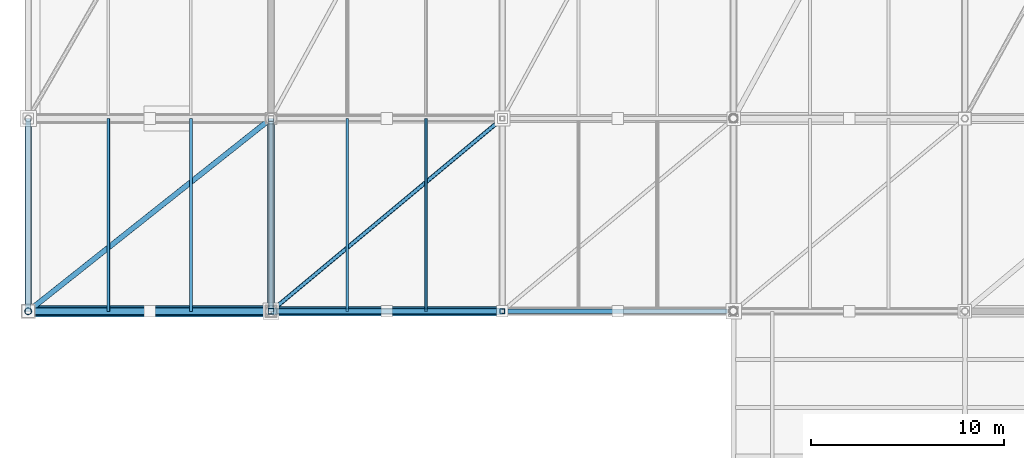
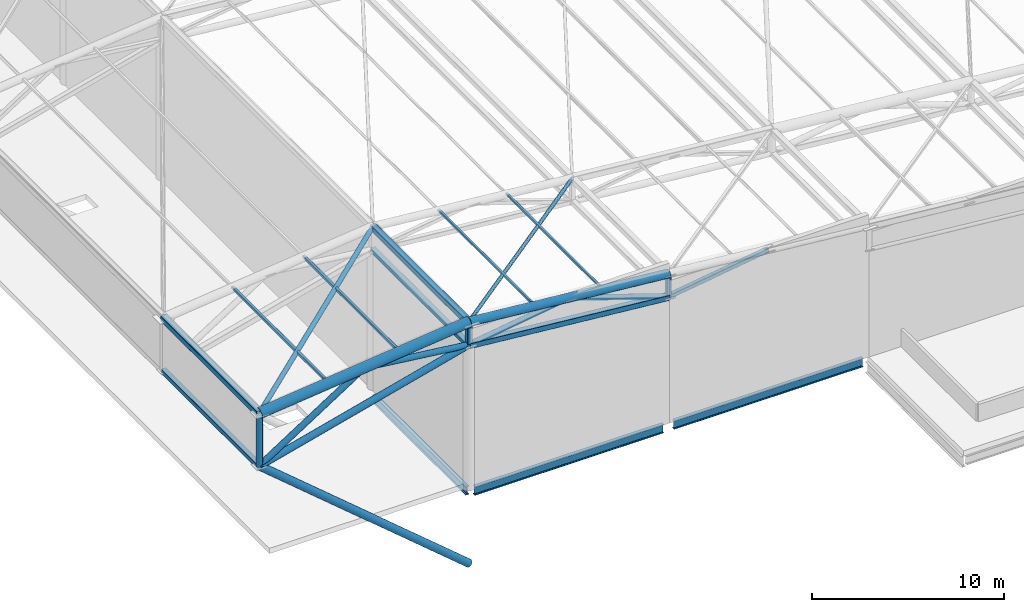
# One storey, part 5 of 44: 23 members, 3 beams.
"""IFC4 building model written with IfcOpenShell, lengths in metres."""

import ifcopenshell
import ifcopenshell.guid

model = None  # the IFC model being written
_history = None  # IfcOwnerHistory: only IFC2X3 demands one
_inside = {}  # id of a spatial element -> (the spatial element, [elements in it])
_under = {}  # id of a project, library or spatial element -> (it, [spatial elements below it])
_declared = {}  # id of a project -> (the project, [libraries it declares])
_typed = {}  # id of a type object -> (the type object, [elements of that type])
_made_of = {}  # id of a material, layer set ... -> (it, [elements and type objects made of it])


def new_model(schema):
    """Start an empty IFC model of exactly this schema.

    Asked for "IFC4X3", IfcOpenShell would pick the latest addendum, in which some entities
    have other attributes; the version numbers below select the first issue.
    IFC2X3 requires an IfcOwnerHistory on every rooted entity: one is made here for all.
    """
    global model, _history
    if schema == "IFC4X3":
        model = ifcopenshell.file(schema_version=(4, 3, 0, 0))
    else:
        model = ifcopenshell.file(schema=schema)
    _inside.clear()
    _under.clear()
    _declared.clear()
    _typed.clear()
    _made_of.clear()
    _history = None
    if model.schema == "IFC2X3":
        org = make("IfcOrganization", Name="unknown")
        user = make(
            "IfcPersonAndOrganization",
            ThePerson=make("IfcPerson", FamilyName="unknown"),
            TheOrganization=org,
        )
        app = make(
            "IfcApplication",
            ApplicationDeveloper=org,
            Version="unknown",
            ApplicationFullName="unknown",
            ApplicationIdentifier="unknown",
        )
        _history = make(
            "IfcOwnerHistory",
            OwningUser=user,
            OwningApplication=app,
            ChangeAction="ADDED",
            CreationDate=0,
        )
    return model


def make(cls, **values):
    """One entity of the class cls with the attributes given. An attribute that is None is left unset."""
    return model.create_entity(
        cls, **{name: value for name, value in values.items() if value is not None}
    )


def rooted(cls, **values):
    """An entity with a GlobalId (a new one), such as an element, a storey or a relation."""
    return make(cls, GlobalId=ifcopenshell.guid.new(), OwnerHistory=_history, **values)


def si_unit(unit_type, name, prefix=None):
    """IfcSIUnit, for example si_unit("LENGTHUNIT", "METRE", prefix="MILLI")."""
    return make("IfcSIUnit", UnitType=unit_type, Prefix=prefix, Name=name)


def assignment(units):
    """IfcUnitAssignment: the units of a project."""
    return None if units is None else make("IfcUnitAssignment", Units=units)


def point(xyz):
    """IfcCartesianPoint."""
    return None if xyz is None else make("IfcCartesianPoint", Coordinates=xyz)


def direction(xyz):
    """IfcDirection."""
    return None if xyz is None else make("IfcDirection", DirectionRatios=xyz)


def frame(location, z_axis=None, x_axis=None):
    """IfcAxis2Placement3D, a coordinate frame: its origin and axes. An axis left out is left unset."""
    return make(
        "IfcAxis2Placement3D",
        Location=point(location),
        Axis=direction(z_axis),
        RefDirection=direction(x_axis),
    )


def frame_2d(location, x_axis=None):
    """IfcAxis2Placement2D, a coordinate frame in the plane: its origin and x axis."""
    return make(
        "IfcAxis2Placement2D", Location=point(location), RefDirection=direction(x_axis)
    )


def origin():
    """The frame at (0, 0, 0) with its axes left unset."""
    return frame((0.0, 0.0, 0.0))


def origin_2d():
    """The frame at (0, 0) in the plane with its x axis left unset."""
    return frame_2d((0.0, 0.0))


def place(relative_to, where):
    """IfcLocalPlacement: puts the frame where relative to a parent placement (None: the world)."""
    return make(
        "IfcLocalPlacement", PlacementRelTo=relative_to, RelativePlacement=where
    )


def context(
    kind, dimensions, precision=None, world=None, true_north=None, identifier=None
):
    """IfcGeometricRepresentationContext, for example the 3D "Model" context."""
    return make(
        "IfcGeometricRepresentationContext",
        ContextIdentifier=identifier,
        ContextType=kind,
        CoordinateSpaceDimension=dimensions,
        Precision=precision,
        WorldCoordinateSystem=world,
        TrueNorth=true_north,
    )


def subcontext(parent, identifier, kind, view, scale=None):
    """IfcGeometricRepresentationSubContext, for example "Body" below "Model"."""
    return make(
        "IfcGeometricRepresentationSubContext",
        ContextIdentifier=identifier,
        ContextType=kind,
        ParentContext=parent,
        TargetScale=scale,
        TargetView=view,
    )


def project(units=None, contexts=None):
    """IfcProject with its units and contexts."""
    return rooted(
        "IfcProject",
        Name="project",
        RepresentationContexts=contexts,
        UnitsInContext=assignment(units),
    )


def spatial(cls, under=None, at=None, **own):
    """A site, building, storey or space (cls), placed at a placement, below another one or the project."""
    s = rooted(cls, ObjectPlacement=at, **own)
    if under is not None:
        _under.setdefault(under.id(), (under, []))[1].append(s)
    return s


def profile(cls, at=None, kind="AREA", **sizes):
    """A parametric profile (cls). Its sizes go by their IFC names, for example OverallWidth=200.0."""
    return make(cls, ProfileType=kind, Position=at, **sizes)


def hollow_rectangle(**sizes):
    """IfcRectangleHollowProfileDef."""
    return profile("IfcRectangleHollowProfileDef", **sizes)


def hollow_circle(**sizes):
    """IfcCircleHollowProfileDef."""
    return profile("IfcCircleHollowProfileDef", **sizes)


def i_section(**sizes):
    """IfcIShapeProfileDef."""
    return profile("IfcIShapeProfileDef", **sizes)


def extrude(swept, where, along, depth):
    """IfcExtrudedAreaSolid: the profile swept, set in the frame where, extruded along a direction by depth."""
    return make(
        "IfcExtrudedAreaSolid",
        SweptArea=swept,
        Position=where,
        ExtrudedDirection=direction(along),
        Depth=depth,
    )


def shape(context_of_items, identifier, shape_type, items):
    """IfcShapeRepresentation: the items that make up one representation, for example the "Body"."""
    return make(
        "IfcShapeRepresentation",
        ContextOfItems=context_of_items,
        RepresentationIdentifier=identifier,
        RepresentationType=shape_type,
        Items=items,
    )


def material(Name=None, Category=None):
    """IfcMaterial."""
    return make("IfcMaterial", Name=Name, Category=Category)


def material_profile(
    of_material, cross_section, Name=None, Category=None, Priority=None
):
    """IfcMaterialProfile: a cross section and its material."""
    return make(
        "IfcMaterialProfile",
        Name=Name,
        Material=of_material,
        Profile=cross_section,
        Priority=Priority,
        Category=Category,
    )


def profile_set(profiles, Name=None, composite=None):
    """IfcMaterialProfileSet."""
    return make(
        "IfcMaterialProfileSet",
        Name=Name,
        MaterialProfiles=profiles,
        CompositeProfile=composite,
    )


def made_of(thing, what):
    """Note that an element or type object is made of a material, layer set ...; save() writes the relation."""
    if what is not None:
        _made_of.setdefault(what.id(), (what, []))[1].append(thing)
    return thing


def type_object(cls, material=None, **own):
    """A type object (cls), such as IfcWallType, which elements share."""
    return made_of(rooted(cls, **own), material)


def element(
    cls,
    number,
    at=None,
    inside=None,
    cuts=None,
    type_object=None,
    material=None,
    context=None,
    identifier="Body",
    shape_type=None,
    held_by="IfcProductDefinitionShape",
    body=None,
    shapes=None,
    **own,
):
    """One element of the class cls, such as IfcWall. Its Tag is "e" and its number.

    at: its placement. inside: the storey or other place that contains it. cuts: it is an
    opening in that element (IfcRelVoidsElement). A single representation is given by context,
    identifier, shape_type and body (its items); several are given by shapes. held_by: the class
    of the entity that holds the representations. save() writes the other relations.
    """
    e = rooted(cls, Tag="e%d" % number, ObjectPlacement=at, **own)
    if body is not None:
        shapes = [shape(context, identifier, shape_type, body)]
    if shapes is not None:
        e.Representation = make(held_by, Representations=shapes)
    if inside is not None:
        _inside.setdefault(inside.id(), (inside, []))[1].append(e)
    if cuts is not None:
        rooted(
            "IfcRelVoidsElement", RelatingBuildingElement=cuts, RelatedOpeningElement=e
        )
    if type_object is not None:
        _typed.setdefault(type_object.id(), (type_object, []))[1].append(e)
    return made_of(e, material)


def aggregate(whole, parts):
    """IfcRelAggregates: a whole, such as a stair, and the parts it consists of."""
    return rooted("IfcRelAggregates", RelatingObject=whole, RelatedObjects=parts)


def save(model, path):
    """Write the relations noted so far, then the file.

    IfcRelAggregates (storeys below a building ...), IfcRelContainedInSpatialStructure (elements
    in a storey), IfcRelDefinesByType, IfcRelAssociatesMaterial and IfcRelDeclares: one each for
    every whole, place, type object, material and project.
    """
    for whole, parts in _under.values():
        aggregate(whole, parts)
    for where, things in _inside.values():
        rooted(
            "IfcRelContainedInSpatialStructure",
            RelatedElements=things,
            RelatingStructure=where,
        )
    for kind, things in _typed.values():
        rooted("IfcRelDefinesByType", RelatedObjects=things, RelatingType=kind)
    for what, things in _made_of.values():
        rooted("IfcRelAssociatesMaterial", RelatedObjects=things, RelatingMaterial=what)
    for by, libraries in _declared.values():
        rooted("IfcRelDeclares", RelatingContext=by, RelatedDefinitions=libraries)
    model.write(path)


model = new_model("IFC4")

# Units and contexts
model_context = context("Model", 3, precision=1e-05, world=origin(), true_north=direction((0.0, 1.0)))
body_context = subcontext(model_context, "Body", "Model", "MODEL_VIEW")
ifc_project = project(units=[si_unit("LENGTHUNIT", "METRE"), si_unit("AREAUNIT", "SQUARE_METRE"), si_unit("VOLUMEUNIT", "CUBIC_METRE"), si_unit("PLANEANGLEUNIT", "RADIAN"), si_unit("MASSUNIT", "GRAM", prefix="KILO")], contexts=[model_context])

# Site, building, storey
site_placement = place(None, origin())
site = spatial("IfcSite", under=ifc_project, at=site_placement, CompositionType="ELEMENT")
building_placement = place(site_placement, origin())
building = spatial("IfcBuilding", under=site, at=building_placement, Name="Brinegate Civic Arena", CompositionType="ELEMENT")
storey_placement = place(building_placement, frame((0.0, 0.0, 29.39990234375)))
storey = spatial("IfcBuildingStorey", under=building, at=storey_placement, Name="RF", CompositionType="ELEMENT", Elevation=29.39990234375)

# Members
ifc_material = material(Name="Steel S355", Category="steel")
ifc_material_profile_1 = material_profile(ifc_material, hollow_rectangle(XDim=0.139892578125, YDim=0.139892578125, WallThickness=0.008056640625, InnerFilletRadius=0.008056640625, OuterFilletRadius=0.01611328125, at=origin_2d()), Name="SHS140X8")
ifc_profile_set_1 = profile_set([ifc_material_profile_1], Name="Steel S355")
member_type_1 = type_object("IfcMemberType", Name="RF-PURLIN-SHS140", PredefinedType="PURLIN", material=ifc_profile_set_1)
for number, where, z_axis, x_axis, name in (
    (1, (63.9599609375, 10.0, 10.22412109375), (0.0, 1.0, 0.0), (-1.0, 0.0, 0.0), "Roof Purlin RFP-003"),
    (2, (68.0400390625, 10.0, 9.841064453125), (0.0, 1.0, 0.0), (-1.0, 0.0, 0.0), "Roof Purlin RFP-004"),
):
    element("IfcMember", number, at=place(storey_placement, frame(where, z_axis=z_axis, x_axis=x_axis)), inside=storey, type_object=member_type_1, Name=name, PredefinedType="PURLIN", context=body_context, shape_type="SweptSolid", body=[
        extrude(hollow_rectangle(XDim=0.139892578125, YDim=0.139892578125, WallThickness=0.008056640625, InnerFilletRadius=0.008056640625, OuterFilletRadius=0.01611328125, at=origin_2d()), origin(), (0.0, 0.0, 1.0), 10.0),
    ])
ifc_material_profile_2 = material_profile(ifc_material, hollow_rectangle(XDim=0.159912109375, YDim=0.159912109375, WallThickness=0.008056640625, InnerFilletRadius=0.008056640625, OuterFilletRadius=0.01611328125, at=origin_2d()), Name="SHS160X8")
ifc_profile_set_2 = profile_set([ifc_material_profile_2], Name="Steel S355")
member_type_2 = type_object("IfcMemberType", Name="RF-PURLIN-SHS160", PredefinedType="PURLIN", material=ifc_profile_set_2)
for number, where, z_axis, x_axis, name in (
    (3, (51.55810546875, 10.0, 9.647216796875), (0.0, 1.0, 0.0), (-1.0, 0.0, 0.0), "Roof Purlin RFP-001"),
    (4, (55.842041015625, 10.0, 10.123046875), (0.0, 1.0, 0.0), (-1.0, 0.0, 0.0), "Roof Purlin RFP-002"),
):
    element("IfcMember", number, at=place(storey_placement, frame(where, z_axis=z_axis, x_axis=x_axis)), inside=storey, type_object=member_type_2, Name=name, PredefinedType="PURLIN", context=body_context, shape_type="SweptSolid", body=[
        extrude(hollow_rectangle(XDim=0.159912109375, YDim=0.159912109375, WallThickness=0.008056640625, InnerFilletRadius=0.008056640625, OuterFilletRadius=0.01611328125, at=origin_2d()), origin(), (0.0, 0.0, 1.0), 10.0),
    ])
ifc_material_profile_3 = material_profile(ifc_material, hollow_circle(Radius=0.109619140625, WallThickness=0.010009765625, at=origin_2d()), Name="CHS219X10")
ifc_profile_set_3 = profile_set([ifc_material_profile_3], Name="Steel S355")
member_type_3 = type_object("IfcMemberType", Name="SF-BRACE-CHS219", PredefinedType="BRACE", material=ifc_profile_set_3)
member_1_placement = place(storey_placement, frame((60.0, 10.0, 10.550048828125), z_axis=(0.766236619907, 0.638530516589, -0.071834683116), x_axis=(-0.640184399664, 0.768221279597, 0.0)))
element("IfcMember", 5, at=member_1_placement, inside=storey, type_object=member_type_3, Name="Roof Plan Diagonal Brace PL-1-2", PredefinedType="BRACE", context=body_context, shape_type="SweptSolid", body=[
    extrude(hollow_circle(Radius=0.109619140625, WallThickness=0.010009765625, at=origin_2d()), origin(), (0.0, 0.0, 1.0), 15.660888671875),
])
ifc_material_profile_4 = material_profile(ifc_material, hollow_circle(Radius=0.136474609375, WallThickness=0.011962890625, at=origin_2d()), Name="CHS273X12")
ifc_profile_set_4 = profile_set([ifc_material_profile_4], Name="Steel S355")
member_type_4 = type_object("IfcMemberType", Name="SF-BRACE-CHS273", PredefinedType="BRACE", material=ifc_profile_set_4)
member_2_placement = place(storey_placement, frame((47.39990234375, 10.0, 9.150146484375), z_axis=(0.780341879736, 0.619314152179, 0.086697933315), x_axis=(-0.621654903434, 0.783291249176, 0.0)))
element("IfcMember", 6, at=member_2_placement, inside=storey, type_object=member_type_4, Name="Roof Plan Diagonal Brace PL-1-1", PredefinedType="BRACE", context=body_context, shape_type="SweptSolid", body=[
    extrude(hollow_circle(Radius=0.136474609375, WallThickness=0.011962890625, at=origin_2d()), origin(), (0.0, 0.0, 1.0), 16.14697265625),
])
ifc_material_profile_5 = material_profile(ifc_material, hollow_circle(Radius=0.162109375, WallThickness=0.011962890625, at=origin_2d()), Name="CHS324X12")
ifc_profile_set_5 = profile_set([ifc_material_profile_5], Name="Steel S355")
member_type_5 = type_object("IfcMemberType", Name="SF-BRACE-CHS324", PredefinedType="BRACE", material=ifc_profile_set_5)
member_3_placement = place(storey_placement, frame((60.0, 10.0, 9.10009765625), z_axis=(0.989226142737, 0.0, 0.1463954867), x_axis=(0.0, 1.0, 0.0)))
element("IfcMember", 7, at=member_3_placement, inside=storey, type_object=member_type_5, Name="Space Frame Web Brace D1-1-2", PredefinedType="BRACE", context=body_context, shape_type="SweptSolid", body=[
    extrude(hollow_circle(Radius=0.162109375, WallThickness=0.011962890625, at=origin_2d()), origin(), (0.0, 0.0, 1.0), 6.0654296875),
])
member_4_placement = place(storey_placement, frame((66.0, 10.0, 9.988037109375), z_axis=(0.948068139281, 0.0, -0.318067293635), x_axis=(0.0, 1.0, 0.0)))
element("IfcMember", 8, at=member_4_placement, inside=storey, type_object=member_type_5, Name="Space Frame Web Brace D2-1-2", PredefinedType="BRACE", context=body_context, shape_type="SweptSolid", body=[
    extrude(hollow_circle(Radius=0.162109375, WallThickness=0.011962890625, at=origin_2d()), origin(), (0.0, 0.0, 1.0), 6.32861328125),
])
ifc_material_profile_6 = material_profile(ifc_material, hollow_circle(Radius=0.177978515625, WallThickness=0.013916015625, at=origin_2d()), Name="CHS356X14")
ifc_profile_set_6 = profile_set([ifc_material_profile_6], Name="Steel S355")
member_type_6 = type_object("IfcMemberType", Name="SF-BRACE-CHS356", PredefinedType="BRACE", material=ifc_profile_set_6)
member_5_placement = place(storey_placement, frame((47.39990234375, 10.0, 5.800048828125), z_axis=(0.841177416252, 0.0, 0.540759238837), x_axis=(0.0, 1.0, 0.0)))
element("IfcMember", 9, at=member_5_placement, inside=storey, type_object=member_type_6, Name="Space Frame Web Brace D1-1-1", PredefinedType="BRACE", context=body_context, shape_type="SweptSolid", body=[
    extrude(hollow_circle(Radius=0.177978515625, WallThickness=0.013916015625, at=origin_2d()), origin(), (0.0, 0.0, 1.0), 7.489501953125),
])
member_6_placement = place(storey_placement, frame((53.699951171875, 10.0, 9.85009765625), z_axis=(0.992988381742, 0.0, -0.118211986387), x_axis=(0.0, 1.0, 0.0)))
element("IfcMember", 10, at=member_6_placement, inside=storey, type_object=member_type_6, Name="Space Frame Web Brace D2-1-1", PredefinedType="BRACE", context=body_context, shape_type="SweptSolid", body=[
    extrude(hollow_circle(Radius=0.177978515625, WallThickness=0.013916015625, at=origin_2d()), origin(), (0.0, 0.0, 1.0), 6.344482421875),
])
ifc_material_profile_7 = material_profile(ifc_material, hollow_rectangle(XDim=0.25, YDim=0.25, WallThickness=0.011962890625, InnerFilletRadius=0.011962890625, OuterFilletRadius=0.02392578125, at=origin_2d()), Name="SHS250X12")
ifc_profile_set_7 = profile_set([ifc_material_profile_7], Name="Steel S355")
member_type_7 = type_object("IfcMemberType", Name="SF-BRACE-SHS250", PredefinedType="BRACE", material=ifc_profile_set_7)
member_7_placement = place(storey_placement, frame((72.0, 10.0, 7.97509765625), z_axis=(0.989226142737, 0.0, 0.1463954867), x_axis=(0.0, 1.0, 0.0)))
element("IfcMember", 11, at=member_7_placement, inside=storey, type_object=member_type_7, Name="Space Frame Web Brace D1-1-3", PredefinedType="BRACE", context=body_context, shape_type="SweptSolid", body=[
    extrude(hollow_rectangle(XDim=0.25, YDim=0.25, WallThickness=0.011962890625, InnerFilletRadius=0.011962890625, OuterFilletRadius=0.02392578125, at=origin_2d()), origin(), (0.0, 0.0, 1.0), 6.0654296875),
])
ifc_material_profile_8 = material_profile(ifc_material, hollow_circle(Radius=0.202880859375, WallThickness=0.01611328125, at=origin_2d()), Name="CHS406X16")
ifc_profile_set_8 = profile_set([ifc_material_profile_8], Name="Steel S355")
member_type_8 = type_object("IfcMemberType", Name="SF-CHORD-CHS406", PredefinedType="CHORD", material=ifc_profile_set_8)
member_8_placement = place(storey_placement, frame((47.39990234375, 10.0, 5.800048828125), z_axis=(0.967371785856, 0.0, 0.25336106238), x_axis=(0.0, 1.0, 0.0)))
element("IfcMember", 12, at=member_8_placement, inside=storey, type_object=member_type_8, Name="Space Frame Bottom Chord BX-1-1", PredefinedType="CHORD", context=body_context, shape_type="SweptSolid", body=[
    extrude(hollow_circle(Radius=0.202880859375, WallThickness=0.01611328125, at=origin_2d()), origin(), (0.0, 0.0, 1.0), 13.025146484375),
])
ifc_material_profile_9 = material_profile(ifc_material, hollow_circle(Radius=0.25390625, WallThickness=0.02001953125, at=origin_2d()), Name="CHS508X20")
ifc_profile_set_9 = profile_set([ifc_material_profile_9], Name="Steel S355")
member_type_9 = type_object("IfcMemberType", Name="SF-CHORD-CHS508", PredefinedType="CHORD", material=ifc_profile_set_9)
member_9_placement = place(storey_placement, frame((60.0, 10.0, 10.550048828125), z_axis=(0.995634226059, 0.0, -0.093340708693), x_axis=(0.0, 1.0, 0.0)))
element("IfcMember", 13, at=member_9_placement, inside=storey, type_object=member_type_9, Name="Space Frame Top Chord TX-1-2", PredefinedType="CHORD", context=body_context, shape_type="SweptSolid", body=[
    extrude(hollow_circle(Radius=0.25390625, WallThickness=0.02001953125, at=origin_2d()), origin(), (0.0, 0.0, 1.0), 12.052734375),
])
ifc_material_profile_10 = material_profile(ifc_material, hollow_circle(Radius=0.304931640625, WallThickness=0.02490234375, at=origin_2d()), Name="CHS610X25")
ifc_profile_set_10 = profile_set([ifc_material_profile_10], Name="Steel S355")
member_type_10 = type_object("IfcMemberType", Name="SF-CHORD-CHS610", PredefinedType="CHORD", material=ifc_profile_set_10)
member_10_placement = place(storey_placement, frame((47.39990234375, 10.0, 9.150146484375), z_axis=(0.993884674033, 0.0, 0.110423071515), x_axis=(0.0, 1.0, 0.0)))
element("IfcMember", 14, at=member_10_placement, inside=storey, type_object=member_type_10, Name="Space Frame Top Chord TX-1-1", PredefinedType="CHORD", context=body_context, shape_type="SweptSolid", body=[
    extrude(hollow_circle(Radius=0.304931640625, WallThickness=0.02490234375, at=origin_2d()), origin(), (0.0, 0.0, 1.0), 12.677734375),
])
ifc_material_profile_11 = material_profile(ifc_material, hollow_rectangle(XDim=0.300048828125, YDim=0.300048828125, WallThickness=0.01611328125, InnerFilletRadius=0.01611328125, OuterFilletRadius=0.031982421875, at=origin_2d()), Name="SHS300X16")
ifc_profile_set_11 = profile_set([ifc_material_profile_11], Name="Steel S355")
member_type_11 = type_object("IfcMemberType", Name="SF-CHORD-SHS300", PredefinedType="CHORD", material=ifc_profile_set_11)
for number, where, z_axis, x_axis, name in (
    (15, (47.39990234375, 10.0, 5.800048828125), (0.0, 1.0, 0.0), (-1.0, 0.0, 0.0), "Space Frame Cross Bottom Chord BY-1-1"),
    (16, (60.0, 10.0, 9.10009765625), (0.0, 1.0, 0.0), (-1.0, 0.0, 0.0), "Space Frame Cross Bottom Chord BY-1-2"),
):
    element("IfcMember", number, at=place(storey_placement, frame(where, z_axis=z_axis, x_axis=x_axis)), inside=storey, type_object=member_type_11, Name=name, PredefinedType="CHORD", context=body_context, shape_type="SweptSolid", body=[
        extrude(hollow_rectangle(XDim=0.300048828125, YDim=0.300048828125, WallThickness=0.01611328125, InnerFilletRadius=0.01611328125, OuterFilletRadius=0.031982421875, at=origin_2d()), origin(), (0.0, 0.0, 1.0), 10.0),
    ])
ifc_material_profile_12 = material_profile(ifc_material, hollow_rectangle(XDim=0.35009765625, YDim=0.35009765625, WallThickness=0.01611328125, InnerFilletRadius=0.01611328125, OuterFilletRadius=0.031982421875, at=origin_2d()), Name="SHS350X16")
ifc_profile_set_12 = profile_set([ifc_material_profile_12], Name="Steel S355")
member_type_12 = type_object("IfcMemberType", Name="SF-CHORD-SHS350", PredefinedType="CHORD", material=ifc_profile_set_12)
member_11_placement = place(storey_placement, frame((60.0, 10.0, 9.10009765625), z_axis=(0.995634226059, 0.0, -0.093340708693), x_axis=(0.0, 1.0, 0.0)))
element("IfcMember", 17, at=member_11_placement, inside=storey, type_object=member_type_12, Name="Space Frame Bottom Chord BX-1-2", PredefinedType="CHORD", context=body_context, shape_type="SweptSolid", body=[
    extrude(hollow_rectangle(XDim=0.35009765625, YDim=0.35009765625, WallThickness=0.01611328125, InnerFilletRadius=0.01611328125, OuterFilletRadius=0.031982421875, at=origin_2d()), origin(), (0.0, 0.0, 1.0), 12.052734375),
])
for number, where, z_axis, x_axis, name in (
    (18, (47.39990234375, 10.0, 9.150146484375), (0.0, 1.0, 0.0), (-1.0, 0.0, 0.0), "Space Frame Cross Top Chord TY-1-1"),
    (19, (60.0, 10.0, 10.550048828125), (0.0, 1.0, 0.0), (-1.0, 0.0, 0.0), "Space Frame Cross Top Chord TY-1-2"),
):
    element("IfcMember", number, at=place(storey_placement, frame(where, z_axis=z_axis, x_axis=x_axis)), inside=storey, type_object=member_type_12, Name=name, PredefinedType="CHORD", context=body_context, shape_type="SweptSolid", body=[
        extrude(hollow_rectangle(XDim=0.35009765625, YDim=0.35009765625, WallThickness=0.01611328125, InnerFilletRadius=0.01611328125, OuterFilletRadius=0.031982421875, at=origin_2d()), origin(), (0.0, 0.0, 1.0), 10.0),
    ])
ifc_material_profile_13 = material_profile(ifc_material, hollow_circle(Radius=0.177978515625, WallThickness=0.013916015625, at=origin_2d()), Name="CHS356X14")
ifc_profile_set_13 = profile_set([ifc_material_profile_13], Name="Steel S355")
member_type_13 = type_object("IfcMemberType", Name="SF-STRUT-CHS356", PredefinedType="STRUT", material=ifc_profile_set_13)
member_12_placement = place(storey_placement, frame((47.39990234375, 10.0, 5.800048828125), z_axis=(0.0, 0.0, 1.0), x_axis=(1.0, 0.0, 0.0)))
element("IfcMember", 20, at=member_12_placement, inside=storey, type_object=member_type_13, Name="Space Frame Vertical Post V-1-1", PredefinedType="STRUT", context=body_context, shape_type="SweptSolid", body=[
    extrude(hollow_circle(Radius=0.177978515625, WallThickness=0.013916015625, at=origin_2d()), origin(), (0.0, 0.0, 1.0), 3.35009765625),
])
ifc_material_profile_14 = material_profile(ifc_material, hollow_circle(Radius=0.228515625, WallThickness=0.01611328125, at=origin_2d()), Name="CHS457X16")
ifc_profile_set_14 = profile_set([ifc_material_profile_14], Name="Steel S355")
member_type_14 = type_object("IfcMemberType", Name="SF-STRUT-CHS457", PredefinedType="STRUT", material=ifc_profile_set_14)
member_13_placement = place(storey_placement, frame((60.0, 10.0, -4.7998046875), z_axis=(-0.765232927861, 0.0, 0.643753497945), x_axis=(0.0, -1.0, 0.0)))
element("IfcMember", 21, at=member_13_placement, inside=storey, type_object=member_type_14, Name="Cantilever Back-Prop Strut SFS-CANT-01", PredefinedType="STRUT", context=body_context, shape_type="SweptSolid", body=[
    extrude(hollow_circle(Radius=0.228515625, WallThickness=0.01611328125, at=origin_2d()), origin(), (0.0, 0.0, 1.0), 16.4658203125),
])
ifc_material_profile_15 = material_profile(ifc_material, hollow_rectangle(XDim=0.25, YDim=0.25, WallThickness=0.011962890625, InnerFilletRadius=0.011962890625, OuterFilletRadius=0.02392578125, at=origin_2d()), Name="SHS250X12")
ifc_profile_set_15 = profile_set([ifc_material_profile_15], Name="Steel S355")
member_type_15 = type_object("IfcMemberType", Name="SF-STRUT-SHS250", PredefinedType="STRUT", material=ifc_profile_set_15)
member_14_placement = place(storey_placement, frame((72.0, 10.0, 7.97509765625), z_axis=(0.0, 0.0, 1.0), x_axis=(1.0, 0.0, 0.0)))
element("IfcMember", 22, at=member_14_placement, inside=storey, type_object=member_type_15, Name="Space Frame Vertical Post V-1-3", PredefinedType="STRUT", context=body_context, shape_type="SweptSolid", body=[
    extrude(hollow_rectangle(XDim=0.25, YDim=0.25, WallThickness=0.011962890625, InnerFilletRadius=0.011962890625, OuterFilletRadius=0.02392578125, at=origin_2d()), origin(), (0.0, 0.0, 1.0), 1.449951171875),
])
ifc_material_profile_16 = material_profile(ifc_material, hollow_rectangle(XDim=0.300048828125, YDim=0.300048828125, WallThickness=0.01611328125, InnerFilletRadius=0.01611328125, OuterFilletRadius=0.031982421875, at=origin_2d()), Name="SHS300X16")
ifc_profile_set_16 = profile_set([ifc_material_profile_16], Name="Steel S355")
member_type_16 = type_object("IfcMemberType", Name="SF-STRUT-SHS300", PredefinedType="STRUT", material=ifc_profile_set_16)
member_15_placement = place(storey_placement, frame((60.0, 10.0, 9.10009765625), z_axis=(0.0, 0.0, 1.0), x_axis=(1.0, 0.0, 0.0)))
element("IfcMember", 23, at=member_15_placement, inside=storey, type_object=member_type_16, Name="Space Frame Vertical Post V-1-2", PredefinedType="STRUT", context=body_context, shape_type="SweptSolid", body=[
    extrude(hollow_rectangle(XDim=0.300048828125, YDim=0.300048828125, WallThickness=0.01611328125, InnerFilletRadius=0.01611328125, OuterFilletRadius=0.031982421875, at=origin_2d()), origin(), (0.0, 0.0, 1.0), 1.449951171875),
])

# Beams
ifc_material_profile_17 = material_profile(ifc_material, i_section(OverallWidth=0.2119140625, OverallDepth=0.5439453125, WebThickness=0.012939453125, FlangeThickness=0.02099609375, FilletRadius=0.01611328125, at=origin_2d()), Name="W530X123")
ifc_profile_set_17 = profile_set([ifc_material_profile_17], Name="Steel S355")
beam_type = type_object("IfcBeamType", Name="SPANDREL-W530X123", PredefinedType="SPANDREL", material=ifc_profile_set_17)
beam_placement = place(storey_placement, frame((60.0, 10.14990234375, -0.27197265625), z_axis=(0.0, 1.0, 0.0), x_axis=(-1.0, 0.0, 0.0)))
element("IfcBeam", 24, at=beam_placement, inside=storey, type_object=beam_type, Name="West Drum Crown Ring Beam WDRM-1", PredefinedType="SPANDREL", context=body_context, shape_type="SweptSolid", body=[
    extrude(i_section(OverallWidth=0.2119140625, OverallDepth=0.5439453125, WebThickness=0.012939453125, FlangeThickness=0.02099609375, FilletRadius=0.01611328125, at=origin_2d()), origin(), (0.0, 0.0, 1.0), 9.7001953125),
])
for number, where, z_axis, x_axis, name in (
    (25, (60.31005859375, 10.0, -0.27197265625), (1.0, 0.0, 0.0), (0.0, 1.0, 0.0), "Gable Crown Ring Beam GBL-S01"),
    (26, (72.31005859375, 10.0, -0.27197265625), (1.0, 0.0, 0.0), (0.0, 1.0, 0.0), "Gable Crown Ring Beam GBL-S02"),
):
    element("IfcBeam", number, at=place(storey_placement, frame(where, z_axis=z_axis, x_axis=x_axis)), inside=storey, type_object=beam_type, Name=name, PredefinedType="SPANDREL", context=body_context, shape_type="SweptSolid", body=[
        extrude(i_section(OverallWidth=0.2119140625, OverallDepth=0.5439453125, WebThickness=0.012939453125, FlangeThickness=0.02099609375, FilletRadius=0.01611328125, at=origin_2d()), origin(), (0.0, 0.0, 1.0), 11.3798828125),
    ])

save(model, "model.ifc")
